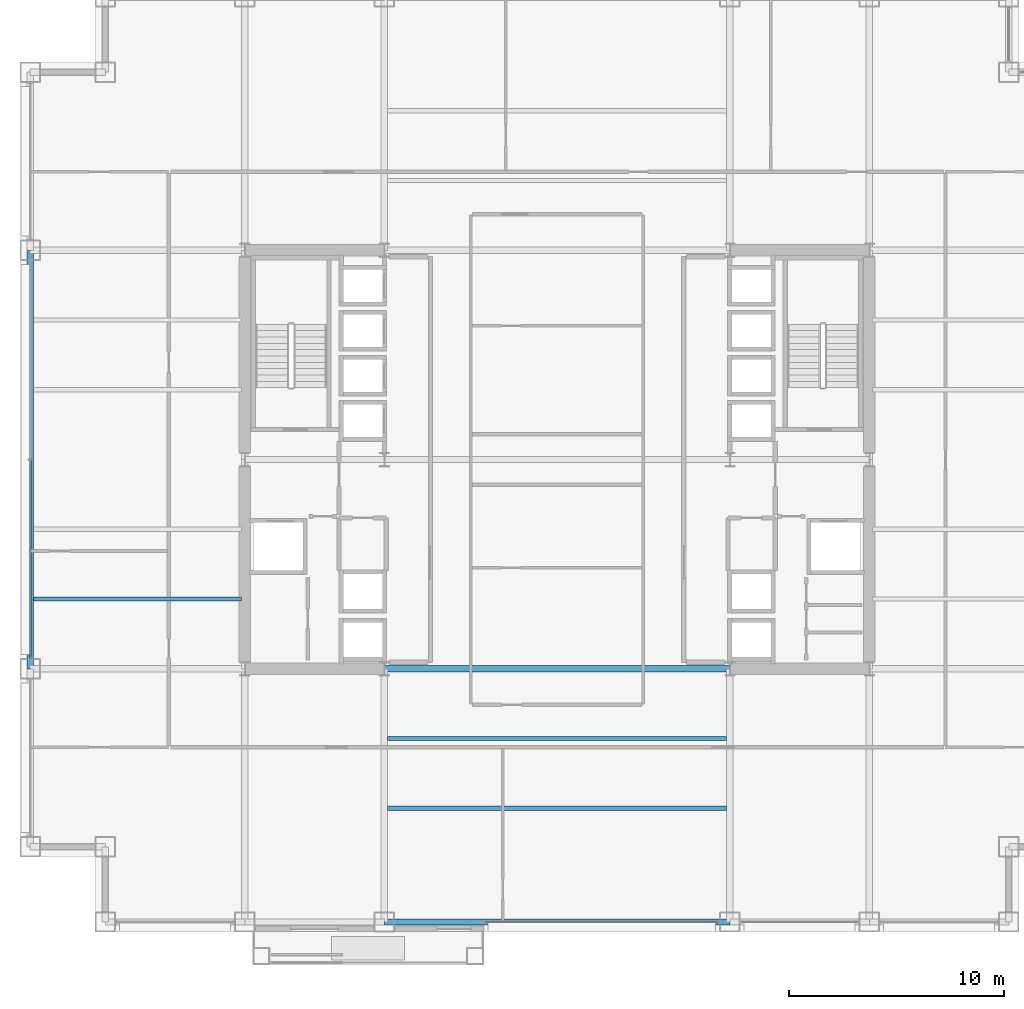
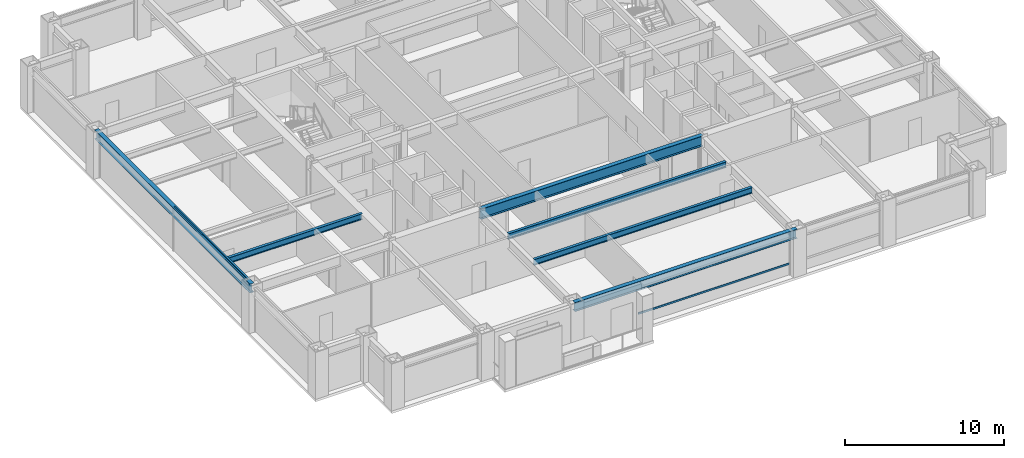
# One storey, part 6 of 31: 6 beams, 2 members, 2 elements without a shape of their own.
"""IFC4 building model written with IfcOpenShell, lengths in metres."""

from ifc_helpers import new_model, si_unit, direction, frame, origin, origin_2d, place, context, subcontext, project, spatial, hollow_rectangle, i_section, extrude, material, layer, layer_set, material_profile, profile_set, type_object, element, aggregate, save


model = new_model("IFC4")

# Units and contexts
model_context = context("Model", 3, precision=1e-05, world=origin(), true_north=direction((0.0, 1.0)))
body_context = subcontext(model_context, "Body", "Model", "MODEL_VIEW")
ifc_project = project(units=[si_unit("LENGTHUNIT", "METRE"), si_unit("AREAUNIT", "SQUARE_METRE"), si_unit("VOLUMEUNIT", "CUBIC_METRE"), si_unit("PLANEANGLEUNIT", "RADIAN"), si_unit("MASSUNIT", "GRAM", prefix="KILO")], contexts=[model_context])

# Site, building, storey
site_placement = place(None, origin())
site = spatial("IfcSite", under=ifc_project, at=site_placement, CompositionType="ELEMENT")
building_placement = place(site_placement, origin())
building = spatial("IfcBuilding", under=site, at=building_placement, Name="Brelmoor Portico Tower", CompositionType="ELEMENT")
storey_placement = place(building_placement, frame((0.0, 0.0, 38.39990234375)))
storey = spatial("IfcBuildingStorey", under=building, at=storey_placement, Name="L09", CompositionType="ELEMENT", Elevation=38.39990234375)

# Beams
ifc_material_1 = material(Name="Steel Q355B", Category="steel")
ifc_material_profile_1 = material_profile(ifc_material_1, i_section(OverallWidth=0.199951171875, OverallDepth=0.449951171875, WebThickness=0.009033203125, FlangeThickness=0.013916015625, at=origin_2d()), Name="HN 450x200x9x14")
ifc_profile_set_1 = profile_set([ifc_material_profile_1], Name="Steel Q355B")
beam_type_1 = type_object("IfcBeamType", Name="BM-JS-450", PredefinedType="JOIST", material=ifc_profile_set_1)
for number, where, z_axis, x_axis, name in (
    (1, (-7.89990234375, -16.25, 3.175048828125), (1.0, 0.0, 0.0), (0.0, 1.0, 0.0), "L09 Secondary Composite Joist JS-C01"),
    (2, (-7.89990234375, -13.0, 3.175048828125), (1.0, 0.0, 0.0), (0.0, 1.0, 0.0), "L09 Secondary Composite Joist JS-C02"),
):
    element("IfcBeam", number, at=place(storey_placement, frame(where, z_axis=z_axis, x_axis=x_axis)), inside=storey, type_object=beam_type_1, Name=name, PredefinedType="JOIST", context=body_context, shape_type="SweptSolid", body=[
        extrude(i_section(OverallWidth=0.199951171875, OverallDepth=0.449951171875, WebThickness=0.009033203125, FlangeThickness=0.013916015625, at=origin_2d()), origin(), (0.0, 0.0, 1.0), 15.7998046875),
    ])
beam_1_placement = place(storey_placement, frame((-24.39990234375, -6.5, 3.175048828125), z_axis=(1.0, 0.0, 0.0), x_axis=(0.0, 1.0, 0.0)))
element("IfcBeam", 3, at=beam_1_placement, inside=storey, type_object=beam_type_1, Name="L09 Secondary Wing Joist JS-W05", PredefinedType="JOIST", context=body_context, shape_type="SweptSolid", body=[
    extrude(i_section(OverallWidth=0.199951171875, OverallDepth=0.449951171875, WebThickness=0.009033203125, FlangeThickness=0.013916015625, at=origin_2d()), origin(), (0.0, 0.0, 1.0), 9.699951171875),
])
ifc_material_profile_2 = material_profile(ifc_material_1, i_section(OverallWidth=0.300048828125, OverallDepth=0.800048828125, WebThickness=0.013916015625, FlangeThickness=0.02587890625, at=origin_2d()), Name="HN 800x300x14x26")
ifc_profile_set_2 = profile_set([ifc_material_profile_2], Name="Steel Q355B")
beam_type_2 = type_object("IfcBeamType", Name="BM-PG-800", PredefinedType="BEAM", material=ifc_profile_set_2)
beam_2_placement = place(storey_placement, frame((-8.050048828125, -9.75, 3.0), z_axis=(1.0, 0.0, 0.0), x_axis=(0.0, 1.0, 0.0)))
element("IfcBeam", 4, at=beam_2_placement, inside=storey, type_object=beam_type_2, Name="L09 Primary Floor Girder PG-21", PredefinedType="BEAM", context=body_context, shape_type="SweptSolid", body=[
    extrude(i_section(OverallWidth=0.300048828125, OverallDepth=0.800048828125, WebThickness=0.013916015625, FlangeThickness=0.02587890625, at=origin_2d()), origin(), (0.0, 0.0, 1.0), 16.10009765625),
])
ifc_material_profile_3 = material_profile(ifc_material_1, i_section(OverallWidth=0.300048828125, OverallDepth=0.699951171875, WebThickness=0.012939453125, FlangeThickness=0.02392578125, at=origin_2d()), Name="HN 700x300x13x24")
ifc_profile_set_3 = profile_set([ifc_material_profile_3], Name="Steel Q355B")
beam_type_3 = type_object("IfcBeamType", Name="BM-SP-700", PredefinedType="SPANDREL", material=ifc_profile_set_3)
beam_3_placement = place(storey_placement, frame((-8.050048828125, -21.550048828125, 3.050048828125), z_axis=(1.0, 0.0, 0.0), x_axis=(0.0, 1.0, 0.0)))
element("IfcBeam", 5, at=beam_3_placement, inside=storey, type_object=beam_type_3, Name="L09 Perimeter Spandrel Beam SP-03", PredefinedType="SPANDREL", context=body_context, shape_type="SweptSolid", body=[
    extrude(i_section(OverallWidth=0.300048828125, OverallDepth=0.699951171875, WebThickness=0.012939453125, FlangeThickness=0.02392578125, at=origin_2d()), origin(), (0.0, 0.0, 1.0), 16.10009765625),
])
beam_4_placement = place(storey_placement, frame((-24.550048828125, -9.75, 3.050048828125), z_axis=(0.0, 1.0, 0.0), x_axis=(-1.0, 0.0, 0.0)))
element("IfcBeam", 6, at=beam_4_placement, inside=storey, type_object=beam_type_3, Name="L09 Perimeter Spandrel Beam SP-16", PredefinedType="SPANDREL", context=body_context, shape_type="SweptSolid", body=[
    extrude(i_section(OverallWidth=0.300048828125, OverallDepth=0.699951171875, WebThickness=0.012939453125, FlangeThickness=0.02392578125, at=origin_2d()), origin(), (0.0, 0.0, 1.0), 19.5),
])

# Curtain wall, member
ifc_material_2 = material(Name="Anodised Aluminium Alloy 6063-T6", Category="aluminium")
ifc_layer_1 = layer(ifc_material_2, 0.179931640625)
ifc_layer_set_1 = layer_set([ifc_layer_1], Name="Anodised Aluminium Alloy 6063-T6")
curtain_wall_type_1 = type_object("IfcCurtainWallType", Name="CW-TOWER-Z1", PredefinedType="NOTDEFINED", material=ifc_layer_set_1)
curtain_wall_1_placement = place(storey_placement, origin())
curtain_wall_1 = element("IfcCurtainWall", 7, at=curtain_wall_1_placement, inside=storey, type_object=curtain_wall_type_1, Name="L09 Curtain Wall CW-L09-1R-1", PredefinedType="NOTDEFINED")
ifc_material_profile_4 = material_profile(ifc_material_2, hollow_rectangle(XDim=0.06494140625, YDim=0.139892578125, WallThickness=0.00390625, at=origin_2d()), Name="ALU TRANSOM 65x140")
ifc_profile_set_4 = profile_set([ifc_material_profile_4], Name="Anodised Aluminium Alloy 6063-T6")
member_type = type_object("IfcMemberType", Name="MB-CW-TRAN-140", PredefinedType="USERDEFINED", material=ifc_profile_set_4)
member_1_placement = place(storey_placement, frame((-3.39990234375, -21.550048828125, 0.85009765625), z_axis=(1.0, 0.0, 0.0), x_axis=(0.0, 1.0, 0.0)))
member_1 = element("IfcMember", 8, at=member_1_placement, type_object=member_type, Name="CW-L09-1R-1 Transom 1-00", ObjectType="TRANSOM", PredefinedType="USERDEFINED", context=body_context, shape_type="SweptSolid", body=[
    extrude(hollow_rectangle(XDim=0.06494140625, YDim=0.139892578125, WallThickness=0.00390625, at=origin_2d()), origin(), (0.0, 0.0, 1.0), 10.96484375),
])
aggregate(curtain_wall_1, [member_1])

ifc_layer_2 = layer(ifc_material_2, 0.179931640625)
ifc_layer_set_2 = layer_set([ifc_layer_2], Name="Anodised Aluminium Alloy 6063-T6")
curtain_wall_type_2 = type_object("IfcCurtainWallType", Name="CW-TOWER-Z1-XB", PredefinedType="NOTDEFINED", material=ifc_layer_set_2)
curtain_wall_2_placement = place(storey_placement, origin())
curtain_wall_2 = element("IfcCurtainWall", 9, at=curtain_wall_2_placement, inside=storey, type_object=curtain_wall_type_2, Name="L09 Curtain Wall CW-L09-03-2", PredefinedType="NOTDEFINED")
member_2_placement = place(storey_placement, frame((-24.550048828125, -9.264892578125, 3.330078125), z_axis=(0.0, 1.0, 0.0), x_axis=(-1.0, 0.0, 0.0)))
member_2 = element("IfcMember", 10, at=member_2_placement, type_object=member_type, Name="CW-L09-03-2 Transom 1-00", ObjectType="TRANSOM", PredefinedType="USERDEFINED", context=body_context, shape_type="SweptSolid", body=[
    extrude(hollow_rectangle(XDim=0.06494140625, YDim=0.139892578125, WallThickness=0.00390625, at=origin_2d()), origin(), (0.0, 0.0, 1.0), 9.264892578125),
])
aggregate(curtain_wall_2, [member_2])

save(model, "model.ifc")
